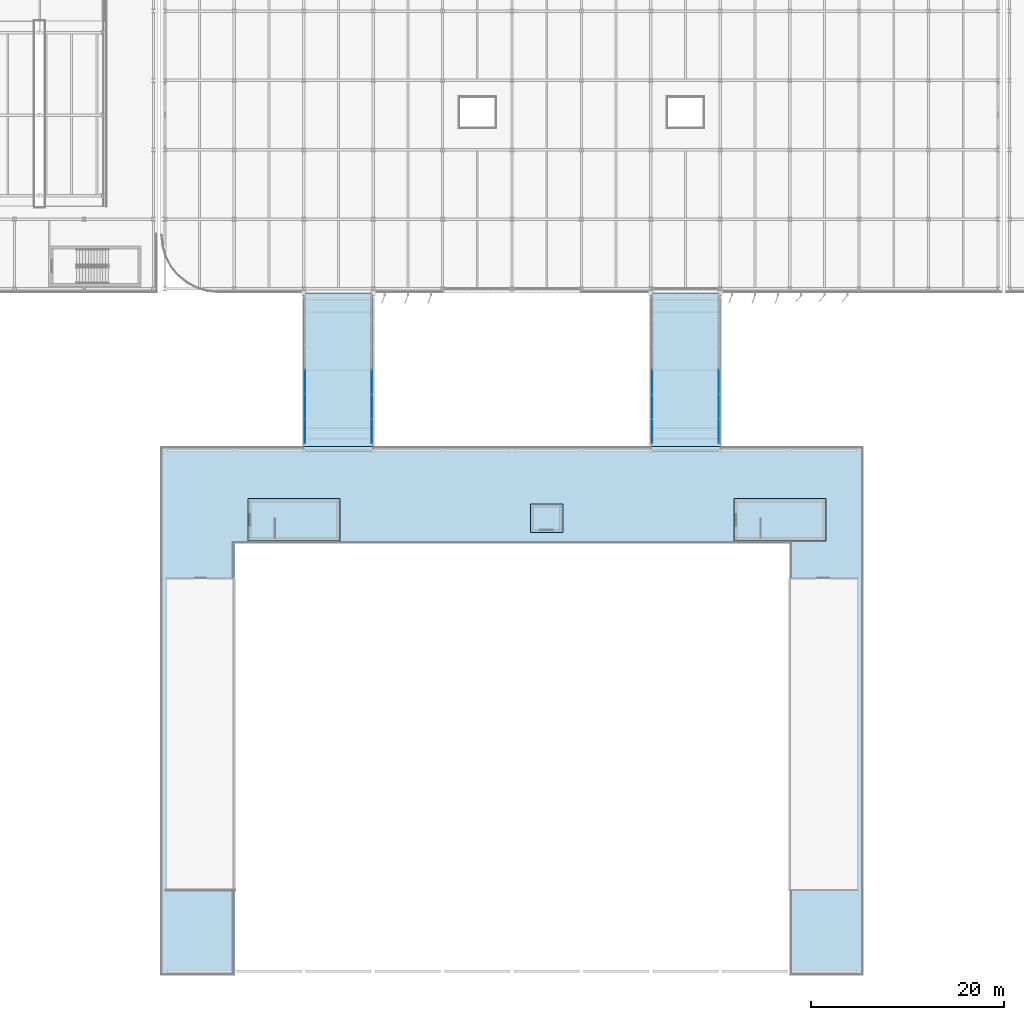
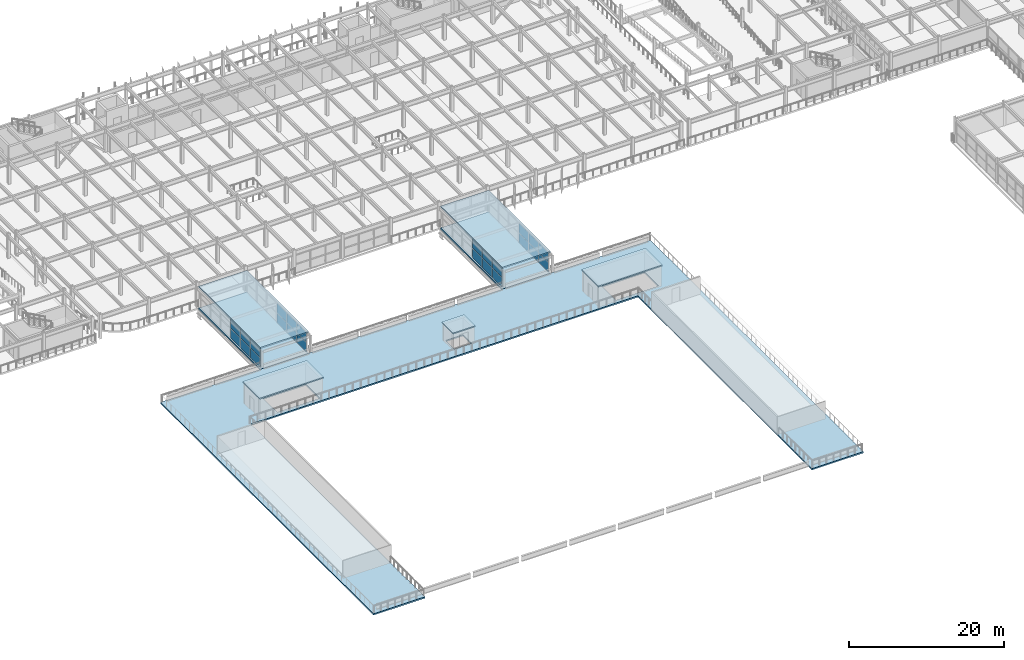
# One storey, part 50 of 93: 24 plates, 8 slabs, 4 elements without a shape of their own.
"""IFC4 building model written with IfcOpenShell, lengths in metres."""

from ifc_helpers import new_model, si_unit, direction, frame, origin, origin_2d, place, context, subcontext, project, spatial, polyline, rectangle, outline, extrude, material, layer, layer_set, type_object, element, aggregate, save


model = new_model("IFC4")

# Units and contexts
model_context = context("Model", 3, precision=1e-05, world=origin(), true_north=direction((0.0, 1.0)))
body_context = subcontext(model_context, "Body", "Model", "MODEL_VIEW")
ifc_project = project(units=[si_unit("LENGTHUNIT", "METRE"), si_unit("AREAUNIT", "SQUARE_METRE"), si_unit("VOLUMEUNIT", "CUBIC_METRE"), si_unit("PLANEANGLEUNIT", "RADIAN"), si_unit("MASSUNIT", "GRAM", prefix="KILO")], contexts=[model_context])

# Site, building, storey
site_placement = place(None, origin())
site = spatial("IfcSite", under=ifc_project, at=site_placement, CompositionType="ELEMENT")
building_placement = place(site_placement, origin())
building = spatial("IfcBuilding", under=site, at=building_placement, Name="Vaelcorin Mobility Hub", CompositionType="ELEMENT")
storey_placement = place(building_placement, frame((0.0, 0.0, 5.39990234375)))
storey = spatial("IfcBuildingStorey", under=building, at=storey_placement, Name="L01", CompositionType="ELEMENT", Elevation=5.39990234375)

# Curtain wall, plates
ifc_material_1 = material(Name="Anodised aluminium 6063-T6", Category="aluminium")
curtain_wall_type = type_object("IfcCurtainWallType", Name="CW-BRG-A", PredefinedType="NOTDEFINED", material=ifc_material_1)
curtain_wall_1_placement = place(storey_placement, origin())
curtain_wall_1 = element("IfcCurtainWall", 1, at=curtain_wall_1_placement, inside=storey, type_object=curtain_wall_type, Name="L01 Curtain Wall CW-LB1-W", PredefinedType="NOTDEFINED")
ifc_material_2 = material(Name="Low-E solar-control insulated glazing", Category="glass")
ifc_layer_1 = layer(ifc_material_2, 0.028076171875)
ifc_layer_set_1 = layer_set([ifc_layer_1], Name="Low-E solar-control insulated glazing")
plate_type = type_object("IfcPlateType", Name="CW-PAN-GLZ28", PredefinedType="CURTAIN_PANEL", material=ifc_layer_set_1)
plate_1_placement = place(storey_placement, frame((50.550048828125, 61.998291015625, 0.06005859375), z_axis=(0.0, 0.0, 1.0), x_axis=(0.0, 1.0, 0.0)))
plate_1 = element("IfcPlate", 2, at=plate_1_placement, type_object=plate_type, Name="CW8 panel 1.1", PredefinedType="CURTAIN_PANEL", context=body_context, shape_type="SweptSolid", body=[
    extrude(rectangle(XDim=2.4765625, YDim=0.028076171875, at=origin_2d()), origin(), (0.0, 0.0, 1.0), 1.510009765625),
])
plate_2_placement = place(storey_placement, frame((50.550048828125, 61.998291015625, 1.6298828125), z_axis=(0.0, 0.0, 1.0), x_axis=(0.0, 1.0, 0.0)))
plate_2 = element("IfcPlate", 3, at=plate_2_placement, type_object=plate_type, Name="CW8 panel 1.2", PredefinedType="CURTAIN_PANEL", context=body_context, shape_type="SweptSolid", body=[
    extrude(rectangle(XDim=2.4765625, YDim=0.028076171875, at=origin_2d()), origin(), (0.0, 0.0, 1.0), 1.510009765625),
])
plate_3_placement = place(storey_placement, frame((50.550048828125, 64.550048828125, 0.06005859375), z_axis=(0.0, 0.0, 1.0), x_axis=(0.0, 1.0, 0.0)))
plate_3 = element("IfcPlate", 4, at=plate_3_placement, type_object=plate_type, Name="CW8 panel 2.1", PredefinedType="CURTAIN_PANEL", context=body_context, shape_type="SweptSolid", body=[
    extrude(rectangle(XDim=2.506591796875, YDim=0.028076171875, at=origin_2d()), origin(), (0.0, 0.0, 1.0), 1.510009765625),
])
plate_4_placement = place(storey_placement, frame((50.550048828125, 64.550048828125, 1.6298828125), z_axis=(0.0, 0.0, 1.0), x_axis=(0.0, 1.0, 0.0)))
plate_4 = element("IfcPlate", 5, at=plate_4_placement, type_object=plate_type, Name="CW8 panel 2.2", PredefinedType="CURTAIN_PANEL", context=body_context, shape_type="SweptSolid", body=[
    extrude(rectangle(XDim=2.506591796875, YDim=0.028076171875, at=origin_2d()), origin(), (0.0, 0.0, 1.0), 1.510009765625),
])
plate_5_placement = place(storey_placement, frame((50.550048828125, 67.11669921875, 0.06005859375), z_axis=(0.0, 0.0, 1.0), x_axis=(0.0, 1.0, 0.0)))
plate_5 = element("IfcPlate", 6, at=plate_5_placement, type_object=plate_type, Name="CW8 panel 3.1", PredefinedType="CURTAIN_PANEL", context=body_context, shape_type="SweptSolid", body=[
    extrude(rectangle(XDim=2.506591796875, YDim=0.028076171875, at=origin_2d()), origin(), (0.0, 0.0, 1.0), 1.510009765625),
])
plate_6_placement = place(storey_placement, frame((50.550048828125, 67.11669921875, 1.6298828125), z_axis=(0.0, 0.0, 1.0), x_axis=(0.0, 1.0, 0.0)))
plate_6 = element("IfcPlate", 7, at=plate_6_placement, type_object=plate_type, Name="CW8 panel 3.2", PredefinedType="CURTAIN_PANEL", context=body_context, shape_type="SweptSolid", body=[
    extrude(rectangle(XDim=2.506591796875, YDim=0.028076171875, at=origin_2d()), origin(), (0.0, 0.0, 1.0), 1.510009765625),
])
aggregate(curtain_wall_1, [plate_1, plate_2, plate_3, plate_4, plate_5, plate_6])

curtain_wall_2_placement = place(storey_placement, origin())
curtain_wall_2 = element("IfcCurtainWall", 8, at=curtain_wall_2_placement, inside=storey, type_object=curtain_wall_type, Name="L01 Curtain Wall CW-LB1-E", PredefinedType="NOTDEFINED")
plate_7_placement = place(storey_placement, frame((57.449951171875, 67.11669921875, 0.06005859375), z_axis=(0.0, 0.0, 1.0), x_axis=(0.0, -1.0, 0.0)))
plate_7 = element("IfcPlate", 9, at=plate_7_placement, type_object=plate_type, Name="CW8 panel 4.1", PredefinedType="CURTAIN_PANEL", context=body_context, shape_type="SweptSolid", body=[
    extrude(rectangle(XDim=2.506591796875, YDim=0.028076171875, at=origin_2d()), origin(), (0.0, 0.0, 1.0), 1.510009765625),
])
plate_8_placement = place(storey_placement, frame((57.449951171875, 67.11669921875, 1.6298828125), z_axis=(0.0, 0.0, 1.0), x_axis=(0.0, -1.0, 0.0)))
plate_8 = element("IfcPlate", 10, at=plate_8_placement, type_object=plate_type, Name="CW8 panel 4.2", PredefinedType="CURTAIN_PANEL", context=body_context, shape_type="SweptSolid", body=[
    extrude(rectangle(XDim=2.506591796875, YDim=0.028076171875, at=origin_2d()), origin(), (0.0, 0.0, 1.0), 1.510009765625),
])
plate_9_placement = place(storey_placement, frame((57.449951171875, 64.550048828125, 0.06005859375), z_axis=(0.0, 0.0, 1.0), x_axis=(0.0, -1.0, 0.0)))
plate_9 = element("IfcPlate", 11, at=plate_9_placement, type_object=plate_type, Name="CW8 panel 5.1", PredefinedType="CURTAIN_PANEL", context=body_context, shape_type="SweptSolid", body=[
    extrude(rectangle(XDim=2.506591796875, YDim=0.028076171875, at=origin_2d()), origin(), (0.0, 0.0, 1.0), 1.510009765625),
])
plate_10_placement = place(storey_placement, frame((57.449951171875, 64.550048828125, 1.6298828125), z_axis=(0.0, 0.0, 1.0), x_axis=(0.0, -1.0, 0.0)))
plate_10 = element("IfcPlate", 12, at=plate_10_placement, type_object=plate_type, Name="CW8 panel 5.2", PredefinedType="CURTAIN_PANEL", context=body_context, shape_type="SweptSolid", body=[
    extrude(rectangle(XDim=2.506591796875, YDim=0.028076171875, at=origin_2d()), origin(), (0.0, 0.0, 1.0), 1.510009765625),
])
plate_11_placement = place(storey_placement, frame((57.449951171875, 61.998291015625, 0.06005859375), z_axis=(0.0, 0.0, 1.0), x_axis=(0.0, -1.0, 0.0)))
plate_11 = element("IfcPlate", 13, at=plate_11_placement, type_object=plate_type, Name="CW8 panel 6.1", PredefinedType="CURTAIN_PANEL", context=body_context, shape_type="SweptSolid", body=[
    extrude(rectangle(XDim=2.4765625, YDim=0.028076171875, at=origin_2d()), origin(), (0.0, 0.0, 1.0), 1.510009765625),
])
plate_12_placement = place(storey_placement, frame((57.449951171875, 61.998291015625, 1.6298828125), z_axis=(0.0, 0.0, 1.0), x_axis=(0.0, -1.0, 0.0)))
plate_12 = element("IfcPlate", 14, at=plate_12_placement, type_object=plate_type, Name="CW8 panel 6.2", PredefinedType="CURTAIN_PANEL", context=body_context, shape_type="SweptSolid", body=[
    extrude(rectangle(XDim=2.4765625, YDim=0.028076171875, at=origin_2d()), origin(), (0.0, 0.0, 1.0), 1.510009765625),
])
aggregate(curtain_wall_2, [plate_7, plate_8, plate_9, plate_10, plate_11, plate_12])

curtain_wall_3_placement = place(storey_placement, origin())
curtain_wall_3 = element("IfcCurtainWall", 15, at=curtain_wall_3_placement, inside=storey, type_object=curtain_wall_type, Name="L01 Curtain Wall CW-LB2-W", PredefinedType="NOTDEFINED")
plate_13_placement = place(storey_placement, frame((86.550048828125, 61.998291015625, 0.06005859375), z_axis=(0.0, 0.0, 1.0), x_axis=(0.0, 1.0, 0.0)))
plate_13 = element("IfcPlate", 16, at=plate_13_placement, type_object=plate_type, Name="CW8 panel 1.1", PredefinedType="CURTAIN_PANEL", context=body_context, shape_type="SweptSolid", body=[
    extrude(rectangle(XDim=2.4765625, YDim=0.028076171875, at=origin_2d()), origin(), (0.0, 0.0, 1.0), 1.510009765625),
])
plate_14_placement = place(storey_placement, frame((86.550048828125, 61.998291015625, 1.6298828125), z_axis=(0.0, 0.0, 1.0), x_axis=(0.0, 1.0, 0.0)))
plate_14 = element("IfcPlate", 17, at=plate_14_placement, type_object=plate_type, Name="CW8 panel 1.2", PredefinedType="CURTAIN_PANEL", context=body_context, shape_type="SweptSolid", body=[
    extrude(rectangle(XDim=2.4765625, YDim=0.028076171875, at=origin_2d()), origin(), (0.0, 0.0, 1.0), 1.510009765625),
])
plate_15_placement = place(storey_placement, frame((86.550048828125, 64.550048828125, 0.06005859375), z_axis=(0.0, 0.0, 1.0), x_axis=(0.0, 1.0, 0.0)))
plate_15 = element("IfcPlate", 18, at=plate_15_placement, type_object=plate_type, Name="CW8 panel 2.1", PredefinedType="CURTAIN_PANEL", context=body_context, shape_type="SweptSolid", body=[
    extrude(rectangle(XDim=2.506591796875, YDim=0.028076171875, at=origin_2d()), origin(), (0.0, 0.0, 1.0), 1.510009765625),
])
plate_16_placement = place(storey_placement, frame((86.550048828125, 64.550048828125, 1.6298828125), z_axis=(0.0, 0.0, 1.0), x_axis=(0.0, 1.0, 0.0)))
plate_16 = element("IfcPlate", 19, at=plate_16_placement, type_object=plate_type, Name="CW8 panel 2.2", PredefinedType="CURTAIN_PANEL", context=body_context, shape_type="SweptSolid", body=[
    extrude(rectangle(XDim=2.506591796875, YDim=0.028076171875, at=origin_2d()), origin(), (0.0, 0.0, 1.0), 1.510009765625),
])
plate_17_placement = place(storey_placement, frame((86.550048828125, 67.11669921875, 0.06005859375), z_axis=(0.0, 0.0, 1.0), x_axis=(0.0, 1.0, 0.0)))
plate_17 = element("IfcPlate", 20, at=plate_17_placement, type_object=plate_type, Name="CW8 panel 3.1", PredefinedType="CURTAIN_PANEL", context=body_context, shape_type="SweptSolid", body=[
    extrude(rectangle(XDim=2.506591796875, YDim=0.028076171875, at=origin_2d()), origin(), (0.0, 0.0, 1.0), 1.510009765625),
])
plate_18_placement = place(storey_placement, frame((86.550048828125, 67.11669921875, 1.6298828125), z_axis=(0.0, 0.0, 1.0), x_axis=(0.0, 1.0, 0.0)))
plate_18 = element("IfcPlate", 21, at=plate_18_placement, type_object=plate_type, Name="CW8 panel 3.2", PredefinedType="CURTAIN_PANEL", context=body_context, shape_type="SweptSolid", body=[
    extrude(rectangle(XDim=2.506591796875, YDim=0.028076171875, at=origin_2d()), origin(), (0.0, 0.0, 1.0), 1.510009765625),
])
aggregate(curtain_wall_3, [plate_13, plate_14, plate_15, plate_16, plate_17, plate_18])

curtain_wall_4_placement = place(storey_placement, origin())
curtain_wall_4 = element("IfcCurtainWall", 22, at=curtain_wall_4_placement, inside=storey, type_object=curtain_wall_type, Name="L01 Curtain Wall CW-LB2-E", PredefinedType="NOTDEFINED")
plate_19_placement = place(storey_placement, frame((93.449951171875, 67.11669921875, 0.06005859375), z_axis=(0.0, 0.0, 1.0), x_axis=(0.0, -1.0, 0.0)))
plate_19 = element("IfcPlate", 23, at=plate_19_placement, type_object=plate_type, Name="CW8 panel 4.1", PredefinedType="CURTAIN_PANEL", context=body_context, shape_type="SweptSolid", body=[
    extrude(rectangle(XDim=2.506591796875, YDim=0.028076171875, at=origin_2d()), origin(), (0.0, 0.0, 1.0), 1.510009765625),
])
plate_20_placement = place(storey_placement, frame((93.449951171875, 67.11669921875, 1.6298828125), z_axis=(0.0, 0.0, 1.0), x_axis=(0.0, -1.0, 0.0)))
plate_20 = element("IfcPlate", 24, at=plate_20_placement, type_object=plate_type, Name="CW8 panel 4.2", PredefinedType="CURTAIN_PANEL", context=body_context, shape_type="SweptSolid", body=[
    extrude(rectangle(XDim=2.506591796875, YDim=0.028076171875, at=origin_2d()), origin(), (0.0, 0.0, 1.0), 1.510009765625),
])
plate_21_placement = place(storey_placement, frame((93.449951171875, 64.550048828125, 0.06005859375), z_axis=(0.0, 0.0, 1.0), x_axis=(0.0, -1.0, 0.0)))
plate_21 = element("IfcPlate", 25, at=plate_21_placement, type_object=plate_type, Name="CW8 panel 5.1", PredefinedType="CURTAIN_PANEL", context=body_context, shape_type="SweptSolid", body=[
    extrude(rectangle(XDim=2.506591796875, YDim=0.028076171875, at=origin_2d()), origin(), (0.0, 0.0, 1.0), 1.510009765625),
])
plate_22_placement = place(storey_placement, frame((93.449951171875, 64.550048828125, 1.6298828125), z_axis=(0.0, 0.0, 1.0), x_axis=(0.0, -1.0, 0.0)))
plate_22 = element("IfcPlate", 26, at=plate_22_placement, type_object=plate_type, Name="CW8 panel 5.2", PredefinedType="CURTAIN_PANEL", context=body_context, shape_type="SweptSolid", body=[
    extrude(rectangle(XDim=2.506591796875, YDim=0.028076171875, at=origin_2d()), origin(), (0.0, 0.0, 1.0), 1.510009765625),
])
plate_23_placement = place(storey_placement, frame((93.449951171875, 61.998291015625, 0.06005859375), z_axis=(0.0, 0.0, 1.0), x_axis=(0.0, -1.0, 0.0)))
plate_23 = element("IfcPlate", 27, at=plate_23_placement, type_object=plate_type, Name="CW8 panel 6.1", PredefinedType="CURTAIN_PANEL", context=body_context, shape_type="SweptSolid", body=[
    extrude(rectangle(XDim=2.4765625, YDim=0.028076171875, at=origin_2d()), origin(), (0.0, 0.0, 1.0), 1.510009765625),
])
plate_24_placement = place(storey_placement, frame((93.449951171875, 61.998291015625, 1.6298828125), z_axis=(0.0, 0.0, 1.0), x_axis=(0.0, -1.0, 0.0)))
plate_24 = element("IfcPlate", 28, at=plate_24_placement, type_object=plate_type, Name="CW8 panel 6.2", PredefinedType="CURTAIN_PANEL", context=body_context, shape_type="SweptSolid", body=[
    extrude(rectangle(XDim=2.4765625, YDim=0.028076171875, at=origin_2d()), origin(), (0.0, 0.0, 1.0), 1.510009765625),
])
aggregate(curtain_wall_4, [plate_19, plate_20, plate_21, plate_22, plate_23, plate_24])

# Slabs
ifc_material_3 = material(Name="Concrete f'c 35 MPa", Category="concrete")
ifc_layer_2 = layer(ifc_material_3, 0.219970703125)
ifc_layer_set_2 = layer_set([ifc_layer_2], Name="Concrete f'c 35 MPa")
slab_type_1 = type_object("IfcSlabType", Name="SLAB-BRG", PredefinedType="FLOOR", material=ifc_layer_set_2)
slab_1_placement = place(storey_placement, frame((0.0, 0.0, -0.219970703125)))
element("IfcSlab", 29, at=slab_1_placement, inside=storey, type_object=slab_type_1, Name="Seismic Link Bridge Deck LB1", PredefinedType="FLOOR", context=body_context, shape_type="SweptSolid", body=[
    extrude(outline(polyline([(50.39990234375, 60.449951171875), (57.60009765625, 60.449951171875), (57.60009765625, 76.35009765625), (50.39990234375, 76.35009765625), (50.39990234375, 60.449951171875)])), origin(), (0.0, 0.0, 1.0), 0.219970703125),
])
slab_2_placement = place(storey_placement, frame((0.0, 0.0, -0.219970703125)))
element("IfcSlab", 30, at=slab_2_placement, inside=storey, type_object=slab_type_1, Name="Seismic Link Bridge Deck LB2", PredefinedType="FLOOR", context=body_context, shape_type="SweptSolid", body=[
    extrude(outline(polyline([(86.39990234375, 60.449951171875), (93.60009765625, 60.449951171875), (93.60009765625, 76.35009765625), (86.39990234375, 76.35009765625), (86.39990234375, 60.449951171875)])), origin(), (0.0, 0.0, 1.0), 0.219970703125),
])
ifc_layer_3 = layer(ifc_material_3, 0.219970703125)
ifc_layer_set_3 = layer_set([ifc_layer_3], Name="Concrete f'c 35 MPa")
slab_type_2 = type_object("IfcSlabType", Name="SLAB-GAL1", PredefinedType="FLOOR", material=ifc_layer_set_3)
slab_3_placement = place(storey_placement, frame((0.0, 0.0, -0.219970703125)))
element("IfcSlab", 31, at=slab_3_placement, inside=storey, type_object=slab_type_2, Name="L01 Concourse Transfer Gallery SL-V1-L01-GAL", PredefinedType="FLOOR", context=body_context, shape_type="SweptSolid", body=[
    extrude(outline(polyline([(35.550048828125, 60.449951171875), (108.449951171875, 60.449951171875), (108.449951171875, 5.550048828125), (100.800048828125, 5.550048828125), (100.800048828125, 50.39990234375), (43.199951171875, 50.39990234375), (43.199951171875, 5.550048828125), (35.550048828125, 5.550048828125), (35.550048828125, 60.449951171875)]), holes=[polyline([(47.455078125, 54.639892578125), (47.455078125, 51.0), (53.800048828125, 51.0), (53.800048828125, 54.639892578125), (47.455078125, 54.639892578125)]), polyline([(104.199951171875, 54.639892578125), (97.85498046875, 54.639892578125), (97.85498046875, 51.0), (104.199951171875, 51.0), (104.199951171875, 54.639892578125)]), polyline([(76.89990234375, 54.10009765625), (74.300048828125, 54.10009765625), (74.300048828125, 51.89990234375), (76.89990234375, 51.89990234375), (76.89990234375, 54.10009765625)])]), origin(), (0.0, 0.0, 1.0), 0.219970703125),
])
ifc_layer_4 = layer(ifc_material_3, 0.199951171875)
ifc_layer_set_4 = layer_set([ifc_layer_4], Name="Concrete f'c 35 MPa")
slab_type_3 = type_object("IfcSlabType", Name="SLAB-RF-V4P", PredefinedType="ROOF", material=ifc_layer_set_4)
slab_4_placement = place(storey_placement, frame((0.0, 0.0, 3.2001953125)))
element("IfcSlab", 32, at=slab_4_placement, inside=storey, type_object=slab_type_3, Name="Link Bridge Roof Slab LB1", PredefinedType="ROOF", context=body_context, shape_type="SweptSolid", body=[
    extrude(outline(polyline([(50.39990234375, 60.449951171875), (57.60009765625, 60.449951171875), (57.60009765625, 76.35009765625), (50.39990234375, 76.35009765625), (50.39990234375, 60.449951171875)])), origin(), (0.0, 0.0, 1.0), 0.219970703125),
])
slab_5_placement = place(storey_placement, frame((0.0, 0.0, 3.2001953125)))
element("IfcSlab", 33, at=slab_5_placement, inside=storey, type_object=slab_type_3, Name="Link Bridge Roof Slab LB2", PredefinedType="ROOF", context=body_context, shape_type="SweptSolid", body=[
    extrude(outline(polyline([(86.39990234375, 60.449951171875), (93.60009765625, 60.449951171875), (93.60009765625, 76.35009765625), (86.39990234375, 76.35009765625), (86.39990234375, 60.449951171875)])), origin(), (0.0, 0.0, 1.0), 0.219970703125),
])
slab_6_placement = place(storey_placement, frame((0.0, 0.0, 3.2001953125)))
element("IfcSlab", 34, at=slab_6_placement, inside=storey, type_object=slab_type_3, Name="ST7 Stair Headhouse Roof", PredefinedType="ROOF", context=body_context, shape_type="SweptSolid", body=[
    extrude(outline(polyline([(44.6201171875, 50.6201171875), (54.179931640625, 50.6201171875), (54.179931640625, 55.02001953125), (44.6201171875, 55.02001953125), (44.6201171875, 50.6201171875)])), origin(), (0.0, 0.0, 1.0), 0.199951171875),
])
slab_7_placement = place(storey_placement, frame((0.0, 0.0, 3.2001953125)))
element("IfcSlab", 35, at=slab_7_placement, inside=storey, type_object=slab_type_3, Name="ST8 Stair Headhouse Roof", PredefinedType="ROOF", context=body_context, shape_type="SweptSolid", body=[
    extrude(outline(polyline([(95.02001953125, 50.6201171875), (104.580078125, 50.6201171875), (104.580078125, 55.02001953125), (95.02001953125, 55.02001953125), (95.02001953125, 50.6201171875)])), origin(), (0.0, 0.0, 1.0), 0.199951171875),
])
slab_8_placement = place(storey_placement, frame((0.0, 0.0, 2.650146484375)))
element("IfcSlab", 36, at=slab_8_placement, inside=storey, type_object=slab_type_3, Name="LF3 Lift Shaft Overrun Roof", PredefinedType="ROOF", context=body_context, shape_type="SweptSolid", body=[
    extrude(outline(polyline([(73.929931640625, 51.530029296875), (77.27001953125, 51.530029296875), (77.27001953125, 54.469970703125), (73.929931640625, 54.469970703125), (73.929931640625, 51.530029296875)])), origin(), (0.0, 0.0, 1.0), 0.199951171875),
])

save(model, "model.ifc")
